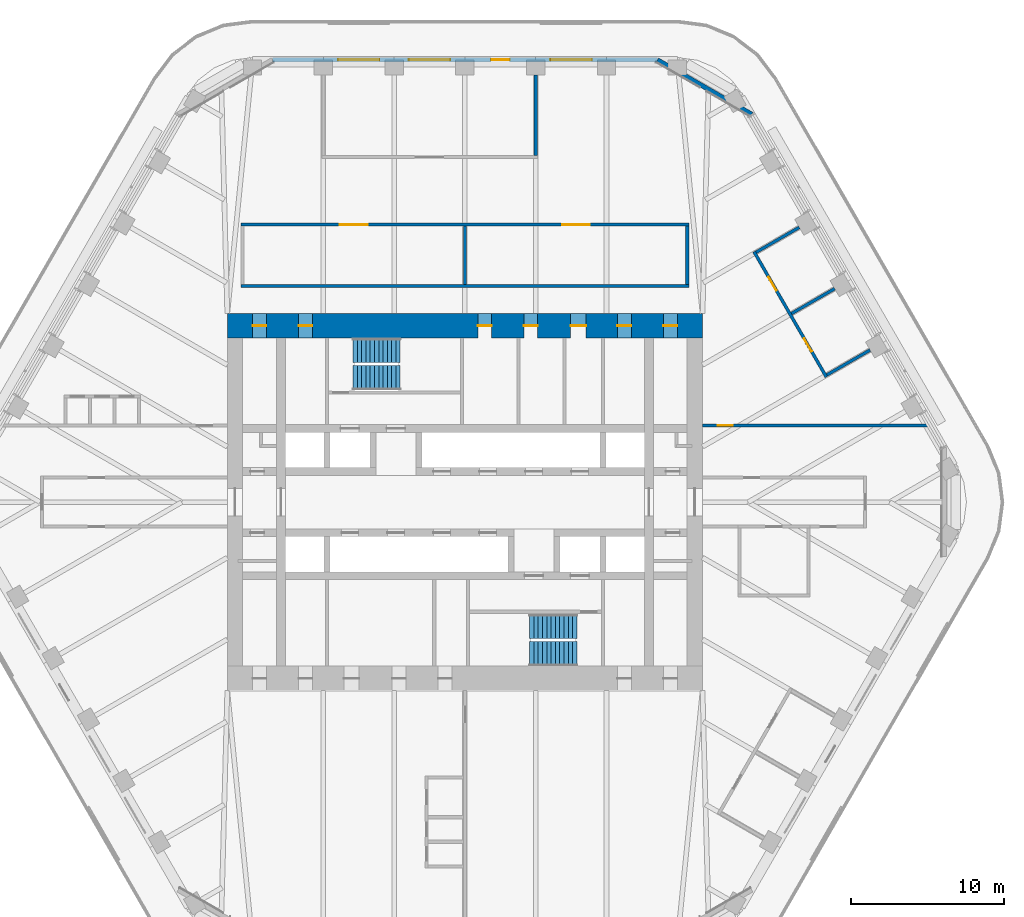
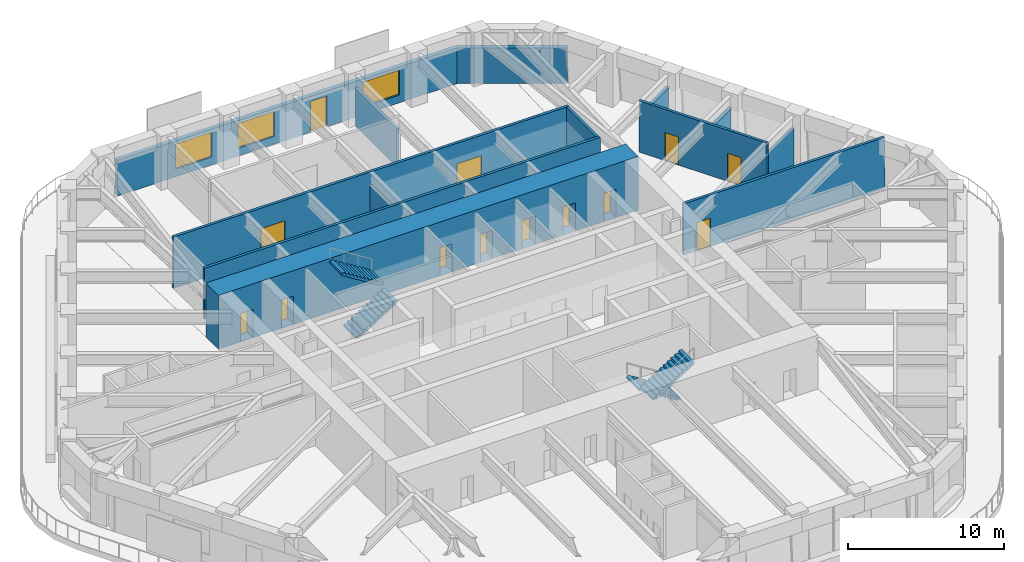
# One storey, part 17 of 20: 13 doors, 13 walls, 4 stair flights, 3 windows, 16 openings, 2 elements without a shape of their own.
"""IFC4 building model written with IfcOpenShell, lengths in metres."""

import ifcopenshell
import ifcopenshell.guid

model = None  # the IFC model being written
_history = None  # IfcOwnerHistory: only IFC2X3 demands one
_inside = {}  # id of a spatial element -> (the spatial element, [elements in it])
_under = {}  # id of a project, library or spatial element -> (it, [spatial elements below it])
_declared = {}  # id of a project -> (the project, [libraries it declares])
_typed = {}  # id of a type object -> (the type object, [elements of that type])
_made_of = {}  # id of a material, layer set ... -> (it, [elements and type objects made of it])


def new_model(schema):
    """Start an empty IFC model of exactly this schema.

    Asked for "IFC4X3", IfcOpenShell would pick the latest addendum, in which some entities
    have other attributes; the version numbers below select the first issue.
    IFC2X3 requires an IfcOwnerHistory on every rooted entity: one is made here for all.
    """
    global model, _history
    if schema == "IFC4X3":
        model = ifcopenshell.file(schema_version=(4, 3, 0, 0))
    else:
        model = ifcopenshell.file(schema=schema)
    _inside.clear()
    _under.clear()
    _declared.clear()
    _typed.clear()
    _made_of.clear()
    _history = None
    if model.schema == "IFC2X3":
        org = make("IfcOrganization", Name="unknown")
        user = make(
            "IfcPersonAndOrganization",
            ThePerson=make("IfcPerson", FamilyName="unknown"),
            TheOrganization=org,
        )
        app = make(
            "IfcApplication",
            ApplicationDeveloper=org,
            Version="unknown",
            ApplicationFullName="unknown",
            ApplicationIdentifier="unknown",
        )
        _history = make(
            "IfcOwnerHistory",
            OwningUser=user,
            OwningApplication=app,
            ChangeAction="ADDED",
            CreationDate=0,
        )
    return model


def make(cls, **values):
    """One entity of the class cls with the attributes given. An attribute that is None is left unset."""
    return model.create_entity(
        cls, **{name: value for name, value in values.items() if value is not None}
    )


def rooted(cls, **values):
    """An entity with a GlobalId (a new one), such as an element, a storey or a relation."""
    return make(cls, GlobalId=ifcopenshell.guid.new(), OwnerHistory=_history, **values)


def si_unit(unit_type, name, prefix=None):
    """IfcSIUnit, for example si_unit("LENGTHUNIT", "METRE", prefix="MILLI")."""
    return make("IfcSIUnit", UnitType=unit_type, Prefix=prefix, Name=name)


def assignment(units):
    """IfcUnitAssignment: the units of a project."""
    return None if units is None else make("IfcUnitAssignment", Units=units)


def point(xyz):
    """IfcCartesianPoint."""
    return None if xyz is None else make("IfcCartesianPoint", Coordinates=xyz)


def direction(xyz):
    """IfcDirection."""
    return None if xyz is None else make("IfcDirection", DirectionRatios=xyz)


def frame(location, z_axis=None, x_axis=None):
    """IfcAxis2Placement3D, a coordinate frame: its origin and axes. An axis left out is left unset."""
    return make(
        "IfcAxis2Placement3D",
        Location=point(location),
        Axis=direction(z_axis),
        RefDirection=direction(x_axis),
    )


def frame_2d(location, x_axis=None):
    """IfcAxis2Placement2D, a coordinate frame in the plane: its origin and x axis."""
    return make(
        "IfcAxis2Placement2D", Location=point(location), RefDirection=direction(x_axis)
    )


def origin():
    """The frame at (0, 0, 0) with its axes left unset."""
    return frame((0.0, 0.0, 0.0))


def place(relative_to, where):
    """IfcLocalPlacement: puts the frame where relative to a parent placement (None: the world)."""
    return make(
        "IfcLocalPlacement", PlacementRelTo=relative_to, RelativePlacement=where
    )


def context(
    kind, dimensions, precision=None, world=None, true_north=None, identifier=None
):
    """IfcGeometricRepresentationContext, for example the 3D "Model" context."""
    return make(
        "IfcGeometricRepresentationContext",
        ContextIdentifier=identifier,
        ContextType=kind,
        CoordinateSpaceDimension=dimensions,
        Precision=precision,
        WorldCoordinateSystem=world,
        TrueNorth=true_north,
    )


def subcontext(parent, identifier, kind, view, scale=None):
    """IfcGeometricRepresentationSubContext, for example "Body" below "Model"."""
    return make(
        "IfcGeometricRepresentationSubContext",
        ContextIdentifier=identifier,
        ContextType=kind,
        ParentContext=parent,
        TargetScale=scale,
        TargetView=view,
    )


def project(units=None, contexts=None):
    """IfcProject with its units and contexts."""
    return rooted(
        "IfcProject",
        Name="project",
        RepresentationContexts=contexts,
        UnitsInContext=assignment(units),
    )


def spatial(cls, under=None, at=None, **own):
    """A site, building, storey or space (cls), placed at a placement, below another one or the project."""
    s = rooted(cls, ObjectPlacement=at, **own)
    if under is not None:
        _under.setdefault(under.id(), (under, []))[1].append(s)
    return s


def polyline(points):
    """IfcPolyline through the points."""
    return make("IfcPolyline", Points=[point(p) for p in points])


def profile(cls, at=None, kind="AREA", **sizes):
    """A parametric profile (cls). Its sizes go by their IFC names, for example OverallWidth=200.0."""
    return make(cls, ProfileType=kind, Position=at, **sizes)


def rectangle(**sizes):
    """IfcRectangleProfileDef."""
    return profile("IfcRectangleProfileDef", **sizes)


def outline(outer, holes=None, kind="AREA"):
    """IfcArbitraryClosedProfileDef: a profile drawn as a closed curve; with holes, ...WithVoids."""
    if holes is None:
        return make("IfcArbitraryClosedProfileDef", ProfileType=kind, OuterCurve=outer)
    return make(
        "IfcArbitraryProfileDefWithVoids",
        ProfileType=kind,
        OuterCurve=outer,
        InnerCurves=holes,
    )


def extrude(swept, where, along, depth):
    """IfcExtrudedAreaSolid: the profile swept, set in the frame where, extruded along a direction by depth."""
    return make(
        "IfcExtrudedAreaSolid",
        SweptArea=swept,
        Position=where,
        ExtrudedDirection=direction(along),
        Depth=depth,
    )


def shape(context_of_items, identifier, shape_type, items):
    """IfcShapeRepresentation: the items that make up one representation, for example the "Body"."""
    return make(
        "IfcShapeRepresentation",
        ContextOfItems=context_of_items,
        RepresentationIdentifier=identifier,
        RepresentationType=shape_type,
        Items=items,
    )


def material(Name=None, Category=None):
    """IfcMaterial."""
    return make("IfcMaterial", Name=Name, Category=Category)


def layer(
    of_material, thickness, ventilated=None, Name=None, Category=None, Priority=None
):
    """IfcMaterialLayer: one layer of a wall or slab, of a material (None: an air gap)."""
    return make(
        "IfcMaterialLayer",
        Material=of_material,
        LayerThickness=thickness,
        IsVentilated=ventilated,
        Name=Name,
        Category=Category,
        Priority=Priority,
    )


def layer_set(layers, Name=None):
    """IfcMaterialLayerSet."""
    return make("IfcMaterialLayerSet", MaterialLayers=layers, LayerSetName=Name)


def made_of(thing, what):
    """Note that an element or type object is made of a material, layer set ...; save() writes the relation."""
    if what is not None:
        _made_of.setdefault(what.id(), (what, []))[1].append(thing)
    return thing


def type_object(cls, material=None, **own):
    """A type object (cls), such as IfcWallType, which elements share."""
    return made_of(rooted(cls, **own), material)


def element(
    cls,
    number,
    at=None,
    inside=None,
    cuts=None,
    type_object=None,
    material=None,
    context=None,
    identifier="Body",
    shape_type=None,
    held_by="IfcProductDefinitionShape",
    body=None,
    shapes=None,
    **own,
):
    """One element of the class cls, such as IfcWall. Its Tag is "e" and its number.

    at: its placement. inside: the storey or other place that contains it. cuts: it is an
    opening in that element (IfcRelVoidsElement). A single representation is given by context,
    identifier, shape_type and body (its items); several are given by shapes. held_by: the class
    of the entity that holds the representations. save() writes the other relations.
    """
    e = rooted(cls, Tag="e%d" % number, ObjectPlacement=at, **own)
    if body is not None:
        shapes = [shape(context, identifier, shape_type, body)]
    if shapes is not None:
        e.Representation = make(held_by, Representations=shapes)
    if inside is not None:
        _inside.setdefault(inside.id(), (inside, []))[1].append(e)
    if cuts is not None:
        rooted(
            "IfcRelVoidsElement", RelatingBuildingElement=cuts, RelatedOpeningElement=e
        )
    if type_object is not None:
        _typed.setdefault(type_object.id(), (type_object, []))[1].append(e)
    return made_of(e, material)


def fill(opening, filler):
    """IfcRelFillsElement: the door or window that sits in an opening."""
    return rooted(
        "IfcRelFillsElement",
        RelatingOpeningElement=opening,
        RelatedBuildingElement=filler,
    )


def aggregate(whole, parts):
    """IfcRelAggregates: a whole, such as a stair, and the parts it consists of."""
    return rooted("IfcRelAggregates", RelatingObject=whole, RelatedObjects=parts)


def save(model, path):
    """Write the relations noted so far, then the file.

    IfcRelAggregates (storeys below a building ...), IfcRelContainedInSpatialStructure (elements
    in a storey), IfcRelDefinesByType, IfcRelAssociatesMaterial and IfcRelDeclares: one each for
    every whole, place, type object, material and project.
    """
    for whole, parts in _under.values():
        aggregate(whole, parts)
    for where, things in _inside.values():
        rooted(
            "IfcRelContainedInSpatialStructure",
            RelatedElements=things,
            RelatingStructure=where,
        )
    for kind, things in _typed.values():
        rooted("IfcRelDefinesByType", RelatedObjects=things, RelatingType=kind)
    for what, things in _made_of.values():
        rooted("IfcRelAssociatesMaterial", RelatedObjects=things, RelatingMaterial=what)
    for by, libraries in _declared.values():
        rooted("IfcRelDeclares", RelatingContext=by, RelatedDefinitions=libraries)
    model.write(path)


model = new_model("IFC4")

# Units and contexts
model_context = context("Model", 3, precision=1e-05, world=origin(), true_north=direction((0.0, 1.0)))
body_context = subcontext(model_context, "Body", "Model", "MODEL_VIEW")
ifc_project = project(units=[si_unit("LENGTHUNIT", "METRE"), si_unit("AREAUNIT", "SQUARE_METRE"), si_unit("VOLUMEUNIT", "CUBIC_METRE"), si_unit("PLANEANGLEUNIT", "RADIAN"), si_unit("MASSUNIT", "GRAM", prefix="KILO")], contexts=[model_context])

# Site, building, storey
site_placement = place(None, origin())
site = spatial("IfcSite", under=ifc_project, at=site_placement, CompositionType="ELEMENT")
building_placement = place(site_placement, origin())
building = spatial("IfcBuilding", under=site, at=building_placement, Name="Tarfa Lantern Tower", CompositionType="ELEMENT")
storey_placement = place(building_placement, frame((0.0, 0.0, 274.300048828125)))
storey = spatial("IfcBuildingStorey", under=building, at=storey_placement, Name="L62", CompositionType="ELEMENT", Elevation=274.300048828125)

# Wall
ifc_material_1 = material(Name="Limestone cladding on blockwork", Category="masonry")
ifc_layer_1 = layer(ifc_material_1, 0.300048828125)
ifc_layer_set_1 = layer_set([ifc_layer_1], Name="EW1 STONE-CLAD WALL 300")
wall_type_1 = type_object("IfcWallType", Name="EW1 STONE-CLAD WALL 300", PredefinedType="SOLIDWALL", material=ifc_layer_set_1)
wall_1_placement = place(storey_placement, frame((18.70654296875, 25.299072265625, 0.0), z_axis=(0.0, 0.0, 1.0), x_axis=(-0.866010973379, 0.500024993363, 0.0)))
element("IfcWall", 1, at=wall_1_placement, inside=storey, type_object=wall_type_1, Name="Garden wall NE-N", PredefinedType="SOLIDWALL", context=body_context, shape_type="SweptSolid", body=[
    extrude(rectangle(XDim=7.101806640625, YDim=0.300048828125, at=frame_2d((3.55078125, 0.0))), origin(), (0.0, 0.0, 1.0), 2.800048828125),
])

# Wall, openings, door, windows
wall_2_placement = place(storey_placement, frame((12.556396484375, 28.85009765625, 0.0), z_axis=(0.0, 0.0, 1.0), x_axis=(-1.0, 0.0, 0.0)))
wall_2 = element("IfcWall", 2, at=wall_2_placement, inside=storey, type_object=wall_type_1, Name="Stone wall N", PredefinedType="SOLIDWALL", context=body_context, shape_type="SweptSolid", body=[
    extrude(rectangle(XDim=25.11279296875, YDim=0.300048828125, at=frame_2d((12.556396484375, 0.0))), origin(), (0.0, 0.0, 1.0), 2.800048828125),
])
opening_1_placement = place(wall_2_placement, frame((4.2783203125, 0.0, 0.60009765625)))
opening_1 = element("IfcOpeningElement", 3, at=opening_1_placement, cuts=wall_2, Name="Opening W14", PredefinedType="OPENING", context=body_context, shape_type="SweptSolid", body=[
    extrude(rectangle(XDim=2.699951171875, YDim=1.949951171875, at=frame_2d((1.35009765625, 0.97509765625))), frame((0.0, 0.159912109375, 0.0), z_axis=(0.0, -1.0, 0.0), x_axis=(1.0, 0.0, 0.0)), (0.0, 0.0, 1.0), 0.320068359375),
])
opening_2_placement = place(wall_2_placement, frame((9.64697265625, 0.0, 0.0)))
opening_2 = element("IfcOpeningElement", 4, at=opening_2_placement, cuts=wall_2, Name="Opening D50", PredefinedType="OPENING", context=body_context, shape_type="SweptSolid", body=[
    extrude(rectangle(XDim=1.199951171875, YDim=2.39990234375, at=frame_2d((0.60009765625, 1.199951171875))), frame((0.0, 0.159912109375, 0.0), z_axis=(0.0, -1.0, 0.0), x_axis=(1.0, 0.0, 0.0)), (0.0, 0.0, 1.0), 0.320068359375),
])
opening_3_placement = place(wall_2_placement, frame((13.515869140625, 0.0, 0.60009765625)))
opening_3 = element("IfcOpeningElement", 5, at=opening_3_placement, cuts=wall_2, Name="Opening W14", PredefinedType="OPENING", context=body_context, shape_type="SweptSolid", body=[
    extrude(rectangle(XDim=2.699951171875, YDim=1.949951171875, at=frame_2d((1.35009765625, 0.97509765625))), frame((0.0, 0.159912109375, 0.0), z_axis=(0.0, -1.0, 0.0), x_axis=(1.0, 0.0, 0.0)), (0.0, 0.0, 1.0), 0.320068359375),
])
opening_4_placement = place(wall_2_placement, frame((18.134521484375, 0.0, 0.60009765625)))
opening_4 = element("IfcOpeningElement", 6, at=opening_4_placement, cuts=wall_2, Name="Opening W14", PredefinedType="OPENING", context=body_context, shape_type="SweptSolid", body=[
    extrude(rectangle(XDim=2.699951171875, YDim=1.949951171875, at=frame_2d((1.35009765625, 0.97509765625))), frame((0.0, 0.159912109375, 0.0), z_axis=(0.0, -1.0, 0.0), x_axis=(1.0, 0.0, 0.0)), (0.0, 0.0, 1.0), 0.320068359375),
])
ifc_material_2 = material(Name="Aluminium framed glazed door", Category="aluminium")
door_type_1 = type_object("IfcDoorType", Name="BE3 BALCONY DOOR 1200x2400", OperationType="SINGLE_SWING_RIGHT", PredefinedType="DOOR", material=ifc_material_2)
door_1_placement = place(opening_2_placement, origin())
door_1 = element("IfcDoor", 7, at=door_1_placement, inside=storey, type_object=door_type_1, Name="Balcony door N", OperationType="SINGLE_SWING_RIGHT", OverallHeight=2.39990234375, OverallWidth=1.199951171875, PredefinedType="DOOR", context=body_context, shape_type="SweptSolid", body=[
    extrude(rectangle(XDim=1.199951171875, YDim=2.39990234375, at=frame_2d((0.60009765625, 1.199951171875))), frame((0.0, 0.02490234375, 0.0), z_axis=(0.0, -1.0, 0.0), x_axis=(1.0, 0.0, 0.0)), (0.0, 0.0, 1.0), 0.050048828125),
])
fill(opening_2, door_1)
ifc_material_3 = material(Name="Aluminium frame, double glazed", Category="aluminium")
window_type = type_object("IfcWindowType", Name="W14 FULL-HEIGHT GLAZING 2700x1950", PartitioningType="SINGLE_PANEL", PredefinedType="WINDOW", material=ifc_material_3)
window_1_placement = place(opening_1_placement, origin())
window_1 = element("IfcWindow", 8, at=window_1_placement, inside=storey, type_object=window_type, Name="Window N 2", OverallHeight=1.949951171875, OverallWidth=2.699951171875, PartitioningType="SINGLE_PANEL", PredefinedType="WINDOW", context=body_context, shape_type="SweptSolid", body=[
    extrude(rectangle(XDim=2.699951171875, YDim=1.949951171875, at=frame_2d((1.35009765625, 0.97509765625))), frame((0.0, 0.030029296875, 0.0), z_axis=(0.0, -1.0, 0.0), x_axis=(1.0, 0.0, 0.0)), (0.0, 0.0, 1.0), 0.06005859375),
])
fill(opening_1, window_1)
window_2_placement = place(opening_3_placement, origin())
window_2 = element("IfcWindow", 9, at=window_2_placement, inside=storey, type_object=window_type, Name="Window N 4", OverallHeight=1.949951171875, OverallWidth=2.699951171875, PartitioningType="SINGLE_PANEL", PredefinedType="WINDOW", context=body_context, shape_type="SweptSolid", body=[
    extrude(rectangle(XDim=2.699951171875, YDim=1.949951171875, at=frame_2d((1.35009765625, 0.97509765625))), frame((0.0, 0.030029296875, 0.0), z_axis=(0.0, -1.0, 0.0), x_axis=(1.0, 0.0, 0.0)), (0.0, 0.0, 1.0), 0.06005859375),
])
fill(opening_3, window_2)
window_3_placement = place(opening_4_placement, origin())
window_3 = element("IfcWindow", 10, at=window_3_placement, inside=storey, type_object=window_type, Name="Window N 5", OverallHeight=1.949951171875, OverallWidth=2.699951171875, PartitioningType="SINGLE_PANEL", PredefinedType="WINDOW", context=body_context, shape_type="SweptSolid", body=[
    extrude(rectangle(XDim=2.699951171875, YDim=1.949951171875, at=frame_2d((1.35009765625, 0.97509765625))), frame((0.0, 0.030029296875, 0.0), z_axis=(0.0, -1.0, 0.0), x_axis=(1.0, 0.0, 0.0)), (0.0, 0.0, 1.0), 0.06005859375),
])
fill(opening_4, window_3)

# Wall
ifc_material_4 = material(Name="Gypsum board on steel studs", Category="steel")
ifc_layer_2 = layer(ifc_material_4, 0.2099609375)
ifc_layer_set_2 = layer_set([ifc_layer_2], Name="IW2 ACOUSTIC PARTITION 200")
wall_type_2 = type_object("IfcWallType", Name="IW2 ACOUSTIC PARTITION 200", PredefinedType="PARTITIONING", material=ifc_layer_set_2)
wall_3_placement = place(storey_placement, frame((-14.60009765625, 14.10009765625, 0.0), z_axis=(0.0, 0.0, 1.0), x_axis=(1.0, 0.0, 0.0)))
element("IfcWall", 11, at=wall_3_placement, inside=storey, type_object=wall_type_2, Name="Partition", PredefinedType="PARTITIONING", context=body_context, shape_type="SweptSolid", body=[
    extrude(rectangle(XDim=29.2001953125, YDim=0.199951171875, at=frame_2d((14.60009765625, 0.0))), origin(), (0.0, 0.0, 1.0), 4.0),
])

# Wall, openings, doors
wall_4_placement = place(storey_placement, frame((-14.60009765625, 18.10009765625, 0.0), z_axis=(0.0, 0.0, 1.0), x_axis=(1.0, 0.0, 0.0)))
wall_4 = element("IfcWall", 12, at=wall_4_placement, inside=storey, type_object=wall_type_2, Name="Partition", PredefinedType="PARTITIONING", context=body_context, shape_type="SweptSolid", body=[
    extrude(rectangle(XDim=29.2001953125, YDim=0.199951171875, at=frame_2d((14.60009765625, 0.0))), origin(), (0.0, 0.0, 1.0), 4.0),
])
opening_5_placement = place(wall_4_placement, frame((6.449951171875, 0.0, 0.0)))
opening_5 = element("IfcOpeningElement", 13, at=opening_5_placement, cuts=wall_4, Name="Opening D33", PredefinedType="OPENING", context=body_context, shape_type="SweptSolid", body=[
    extrude(rectangle(XDim=1.800048828125, YDim=2.39990234375, at=frame_2d((0.89990234375, 1.199951171875))), frame((0.0, 0.10986328125, 0.0), z_axis=(0.0, -1.0, 0.0), x_axis=(1.0, 0.0, 0.0)), (0.0, 0.0, 1.0), 0.219970703125),
])
opening_6_placement = place(wall_4_placement, frame((20.949951171875, 0.0, 0.0)))
opening_6 = element("IfcOpeningElement", 14, at=opening_6_placement, cuts=wall_4, Name="Opening D34", PredefinedType="OPENING", context=body_context, shape_type="SweptSolid", body=[
    extrude(rectangle(XDim=1.800048828125, YDim=2.39990234375, at=frame_2d((0.89990234375, 1.199951171875))), frame((0.0, 0.10986328125, 0.0), z_axis=(0.0, -1.0, 0.0), x_axis=(1.0, 0.0, 0.0)), (0.0, 0.0, 1.0), 0.219970703125),
])
ifc_material_5 = material(Name="Timber door", Category="wood")
door_type_2 = type_object("IfcDoorType", Name="DR2 ROOM DOOR 1800x2400", OperationType="DOUBLE_DOOR_SINGLE_SWING", PredefinedType="DOOR", material=ifc_material_5)
door_2_placement = place(opening_5_placement, frame((1.800048828125, 0.0, 0.0), z_axis=(0.0, 0.0, 1.0), x_axis=(-1.0, 0.0, 0.0)))
door_2 = element("IfcDoor", 15, at=door_2_placement, inside=storey, type_object=door_type_2, Name="Data room door", OperationType="DOUBLE_DOOR_SINGLE_SWING", OverallHeight=2.39990234375, OverallWidth=1.800048828125, PredefinedType="DOOR", context=body_context, shape_type="SweptSolid", body=[
    extrude(rectangle(XDim=1.800048828125, YDim=2.39990234375, at=frame_2d((0.89990234375, 1.199951171875))), frame((0.0, 0.02490234375, 0.0), z_axis=(0.0, -1.0, 0.0), x_axis=(1.0, 0.0, 0.0)), (0.0, 0.0, 1.0), 0.050048828125),
])
fill(opening_5, door_2)
door_3_placement = place(opening_6_placement, frame((1.800048828125, 0.0, 0.0), z_axis=(0.0, 0.0, 1.0), x_axis=(-1.0, 0.0, 0.0)))
door_3 = element("IfcDoor", 16, at=door_3_placement, inside=storey, type_object=door_type_2, Name="Meeting room door", OperationType="DOUBLE_DOOR_SINGLE_SWING", OverallHeight=2.39990234375, OverallWidth=1.800048828125, PredefinedType="DOOR", context=body_context, shape_type="SweptSolid", body=[
    extrude(rectangle(XDim=1.800048828125, YDim=2.39990234375, at=frame_2d((0.89990234375, 1.199951171875))), frame((0.0, 0.02490234375, 0.0), z_axis=(0.0, -1.0, 0.0), x_axis=(1.0, 0.0, 0.0)), (0.0, 0.0, 1.0), 0.050048828125),
])
fill(opening_6, door_3)

# Walls
wall_5_placement = place(storey_placement, frame((0.0, 14.199951171875, 0.0), z_axis=(0.0, 0.0, 1.0), x_axis=(0.0, 1.0, 0.0)))
element("IfcWall", 17, at=wall_5_placement, inside=storey, type_object=wall_type_2, Name="Partition", PredefinedType="PARTITIONING", context=body_context, shape_type="SweptSolid", body=[
    extrude(rectangle(XDim=3.800048828125, YDim=0.199951171875, at=frame_2d((1.89990234375, 0.0))), origin(), (0.0, 0.0, 1.0), 2.991943359375),
])
wall_6_placement = place(storey_placement, frame((14.5, 14.199951171875, 0.0), z_axis=(0.0, 0.0, 1.0), x_axis=(0.0, 1.0, 0.0)))
element("IfcWall", 18, at=wall_6_placement, inside=storey, type_object=wall_type_2, Name="Partition", PredefinedType="PARTITIONING", context=body_context, shape_type="SweptSolid", body=[
    extrude(rectangle(XDim=3.800048828125, YDim=0.199951171875, at=frame_2d((1.89990234375, 0.0))), origin(), (0.0, 0.0, 1.0), 4.0),
])
wall_7_placement = place(storey_placement, frame((4.618896484375, 22.60009765625, 0.0), z_axis=(0.0, 0.0, 1.0), x_axis=(0.0, 1.0, 0.0)))
element("IfcWall", 19, at=wall_7_placement, inside=storey, type_object=wall_type_2, Name="Partition", PredefinedType="PARTITIONING", context=body_context, shape_type="SweptSolid", body=[
    extrude(rectangle(XDim=5.25, YDim=0.199951171875, at=frame_2d((2.625, 0.0))), origin(), (0.0, 0.0, 1.0), 2.991943359375),
])

# Wall, openings, doors
wall_8_placement = place(storey_placement, frame((23.576904296875, 8.163330078125, 0.0), z_axis=(0.0, 0.0, 1.0), x_axis=(-0.499989672313, 0.866031366395, 0.0)))
wall_8 = element("IfcWall", 20, at=wall_8_placement, inside=storey, type_object=wall_type_2, Name="Partition", PredefinedType="PARTITIONING", context=body_context, shape_type="SweptSolid", body=[
    extrude(rectangle(XDim=9.437744140625, YDim=0.199951171875, at=frame_2d((4.71875, 0.0))), origin(), (0.0, 0.0, 1.0), 4.0),
])
opening_7_placement = place(wall_8_placement, frame((1.909423828125, 0.0, 0.0)))
opening_7 = element("IfcOpeningElement", 21, at=opening_7_placement, cuts=wall_8, Name="Opening D29", PredefinedType="OPENING", context=body_context, shape_type="SweptSolid", body=[
    extrude(rectangle(XDim=1.0, YDim=2.199951171875, at=frame_2d((0.5, 1.10009765625))), frame((0.0, 0.10986328125, 0.0), z_axis=(0.0, -1.0, 0.0), x_axis=(1.0, 0.0, 0.0)), (0.0, 0.0, 1.0), 0.219970703125),
])
opening_8_placement = place(wall_8_placement, frame((6.5283203125, 0.0, 0.0)))
opening_8 = element("IfcOpeningElement", 22, at=opening_8_placement, cuts=wall_8, Name="Opening D30", PredefinedType="OPENING", context=body_context, shape_type="SweptSolid", body=[
    extrude(rectangle(XDim=1.0, YDim=2.199951171875, at=frame_2d((0.5, 1.10009765625))), frame((0.0, 0.10986328125, 0.0), z_axis=(0.0, -1.0, 0.0), x_axis=(1.0, 0.0, 0.0)), (0.0, 0.0, 1.0), 0.219970703125),
])
door_type_3 = type_object("IfcDoorType", Name="DR1 ROOM DOOR 1000x2200", OperationType="SINGLE_SWING_LEFT", PredefinedType="DOOR", material=ifc_material_5)
door_4_placement = place(opening_7_placement, frame((1.0, 0.0, 0.0), z_axis=(0.0, 0.0, 1.0), x_axis=(-1.0, 0.0, 0.0)))
door_4 = element("IfcDoor", 23, at=door_4_placement, inside=storey, type_object=door_type_3, Name="Interview room door", OperationType="SINGLE_SWING_LEFT", OverallHeight=2.199951171875, OverallWidth=1.0, PredefinedType="DOOR", context=body_context, shape_type="SweptSolid", body=[
    extrude(rectangle(XDim=1.0, YDim=2.199951171875, at=frame_2d((0.5, 1.10009765625))), frame((0.0, 0.02490234375, 0.0), z_axis=(0.0, -1.0, 0.0), x_axis=(1.0, 0.0, 0.0)), (0.0, 0.0, 1.0), 0.050048828125),
])
fill(opening_7, door_4)
door_5_placement = place(opening_8_placement, frame((1.0, 0.0, 0.0), z_axis=(0.0, 0.0, 1.0), x_axis=(-1.0, 0.0, 0.0)))
door_5 = element("IfcDoor", 24, at=door_5_placement, inside=storey, type_object=door_type_3, Name="Interview room door", OperationType="SINGLE_SWING_RIGHT", OverallHeight=2.199951171875, OverallWidth=1.0, PredefinedType="DOOR", context=body_context, shape_type="SweptSolid", body=[
    extrude(rectangle(XDim=1.0, YDim=2.199951171875, at=frame_2d((0.5, 1.10009765625))), frame((0.0, 0.02490234375, 0.0), z_axis=(0.0, -1.0, 0.0), x_axis=(1.0, 0.0, 0.0)), (0.0, 0.0, 1.0), 0.050048828125),
])
fill(opening_8, door_5)

# Walls
for number, where, z_axis, x_axis, name in (
    (25, (23.613525390625, 8.300048828125, 0.0), (0.0, 0.0, 1.0), (0.866034226713, 0.499984717929, 0.0), "Partition"),
    (26, (21.30419921875, 12.300048828125, 0.0), (0.0, 0.0, 1.0), (0.866034226713, 0.499984717929, 0.0), "Partition"),
    (27, (18.994873046875, 16.300048828125, 0.0), (0.0, 0.0, 1.0), (0.866015446554, 0.500017246033, 0.0), "Partition"),
):
    element("IfcWall", number, at=place(storey_placement, frame(where, z_axis=z_axis, x_axis=x_axis)), inside=storey, type_object=wall_type_2, Name=name, PredefinedType="PARTITIONING", context=body_context, shape_type="SweptSolid", body=[
        extrude(rectangle(XDim=3.25, YDim=0.199951171875, at=frame_2d((1.625, 0.0))), origin(), (0.0, 0.0, 1.0), 3.08154296875),
    ])

# Wall, opening, door
wall_9_placement = place(storey_placement, frame((15.5, 5.0, 0.0), z_axis=(0.0, 0.0, 1.0), x_axis=(1.0, 0.0, 0.0)))
wall_9 = element("IfcWall", 28, at=wall_9_placement, inside=storey, type_object=wall_type_2, Name="Partition", PredefinedType="PARTITIONING", context=body_context, shape_type="SweptSolid", body=[
    extrude(rectangle(XDim=14.845458984375, YDim=0.199951171875, at=frame_2d((7.4228515625, 0.0))), origin(), (0.0, 0.0, 1.0), 4.0),
])
opening_9_placement = place(wall_9_placement, frame((0.984619140625, 0.0, 0.0)))
opening_9 = element("IfcOpeningElement", 29, at=opening_9_placement, cuts=wall_9, Name="Opening D47", PredefinedType="OPENING", context=body_context, shape_type="SweptSolid", body=[
    extrude(rectangle(XDim=1.0, YDim=2.199951171875, at=frame_2d((0.5, 1.10009765625))), frame((0.0, 0.10986328125, 0.0), z_axis=(0.0, -1.0, 0.0), x_axis=(1.0, 0.0, 0.0)), (0.0, 0.0, 1.0), 0.219970703125),
])
door_6_placement = place(opening_9_placement, frame((1.0, 0.0, 0.0), z_axis=(0.0, 0.0, 1.0), x_axis=(-1.0, 0.0, 0.0)))
door_6 = element("IfcDoor", 30, at=door_6_placement, inside=storey, type_object=door_type_3, Name="Zone door", OperationType="SINGLE_SWING_LEFT", OverallHeight=2.199951171875, OverallWidth=1.0, PredefinedType="DOOR", context=body_context, shape_type="SweptSolid", body=[
    extrude(rectangle(XDim=1.0, YDim=2.199951171875, at=frame_2d((0.5, 1.10009765625))), frame((0.0, 0.02490234375, 0.0), z_axis=(0.0, -1.0, 0.0), x_axis=(1.0, 0.0, 0.0)), (0.0, 0.0, 1.0), 0.050048828125),
])
fill(opening_9, door_6)

# Wall, openings, doors
ifc_material_6 = material(Name="Concrete C80/95", Category="concrete")
ifc_layer_3 = layer(ifc_material_6, 1.60009765625)
ifc_layer_set_3 = layer_set([ifc_layer_3], Name="SW7 CORE WALL 1600")
wall_type_3 = type_object("IfcWallType", Name="SW7 CORE WALL 1600", PredefinedType="SHEAR", material=ifc_layer_set_3)
wall_10_placement = place(storey_placement, frame((-15.5, 11.5, 0.0), z_axis=(0.0, 0.0, 1.0), x_axis=(1.0, 0.0, 0.0)))
wall_10 = element("IfcWall", 31, at=wall_10_placement, inside=storey, type_object=wall_type_3, Name="Core wall N", PredefinedType="SHEAR", context=body_context, shape_type="SweptSolid", body=[
    extrude(rectangle(XDim=31.0, YDim=1.60009765625, at=frame_2d((15.5, 0.0))), origin(), (0.0, 0.0, 1.0), 4.199951171875),
])
opening_10_placement = place(wall_10_placement, frame((16.35009765625, 0.0, 0.0)))
opening_10 = element("IfcOpeningElement", 32, at=opening_10_placement, cuts=wall_10, Name="Opening D17", PredefinedType="OPENING", context=body_context, shape_type="SweptSolid", body=[
    extrude(rectangle(XDim=0.89990234375, YDim=2.199951171875, at=frame_2d((0.449951171875, 1.10009765625))), frame((0.0, 0.81005859375, 0.0), z_axis=(0.0, -1.0, 0.0), x_axis=(1.0, 0.0, 0.0)), (0.0, 0.0, 1.0), 1.6201171875),
])
opening_11_placement = place(wall_10_placement, frame((19.35009765625, 0.0, 0.0)))
opening_11 = element("IfcOpeningElement", 33, at=opening_11_placement, cuts=wall_10, Name="Opening D19", PredefinedType="OPENING", context=body_context, shape_type="SweptSolid", body=[
    extrude(rectangle(XDim=0.89990234375, YDim=2.199951171875, at=frame_2d((0.449951171875, 1.10009765625))), frame((0.0, 0.81005859375, 0.0), z_axis=(0.0, -1.0, 0.0), x_axis=(1.0, 0.0, 0.0)), (0.0, 0.0, 1.0), 1.6201171875),
])
opening_12_placement = place(wall_10_placement, frame((22.39990234375, 0.0, 0.0)))
opening_12 = element("IfcOpeningElement", 34, at=opening_12_placement, cuts=wall_10, Name="Opening D21", PredefinedType="OPENING", context=body_context, shape_type="SweptSolid", body=[
    extrude(rectangle(XDim=1.0, YDim=2.199951171875, at=frame_2d((0.5, 1.10009765625))), frame((0.0, 0.81005859375, 0.0), z_axis=(0.0, -1.0, 0.0), x_axis=(1.0, 0.0, 0.0)), (0.0, 0.0, 1.0), 1.6201171875),
])
opening_13_placement = place(wall_10_placement, frame((1.64990234375, 0.0, 0.0)))
opening_13 = element("IfcOpeningElement", 35, at=opening_13_placement, cuts=wall_10, Name="Opening D07", PredefinedType="OPENING", context=body_context, shape_type="SweptSolid", body=[
    extrude(rectangle(XDim=0.89990234375, YDim=2.199951171875, at=frame_2d((0.449951171875, 1.10009765625))), frame((0.0, 0.81005859375, 0.0), z_axis=(0.0, -1.0, 0.0), x_axis=(1.0, 0.0, 0.0)), (0.0, 0.0, 1.0), 1.6201171875),
])
opening_14_placement = place(wall_10_placement, frame((4.64990234375, 0.0, 0.0)))
opening_14 = element("IfcOpeningElement", 36, at=opening_14_placement, cuts=wall_10, Name="Opening D05", PredefinedType="OPENING", context=body_context, shape_type="SweptSolid", body=[
    extrude(rectangle(XDim=0.89990234375, YDim=2.199951171875, at=frame_2d((0.449951171875, 1.10009765625))), frame((0.0, 0.81005859375, 0.0), z_axis=(0.0, -1.0, 0.0), x_axis=(1.0, 0.0, 0.0)), (0.0, 0.0, 1.0), 1.6201171875),
])
opening_15_placement = place(wall_10_placement, frame((25.449951171875, 0.0, 0.0)))
opening_15 = element("IfcOpeningElement", 37, at=opening_15_placement, cuts=wall_10, Name="Opening D03", PredefinedType="OPENING", context=body_context, shape_type="SweptSolid", body=[
    extrude(rectangle(XDim=0.89990234375, YDim=2.199951171875, at=frame_2d((0.449951171875, 1.10009765625))), frame((0.0, 0.81005859375, 0.0), z_axis=(0.0, -1.0, 0.0), x_axis=(1.0, 0.0, 0.0)), (0.0, 0.0, 1.0), 1.6201171875),
])
opening_16_placement = place(wall_10_placement, frame((28.449951171875, 0.0, 0.0)))
opening_16 = element("IfcOpeningElement", 38, at=opening_16_placement, cuts=wall_10, Name="Opening D01", PredefinedType="OPENING", context=body_context, shape_type="SweptSolid", body=[
    extrude(rectangle(XDim=0.89990234375, YDim=2.199951171875, at=frame_2d((0.449951171875, 1.10009765625))), frame((0.0, 0.81005859375, 0.0), z_axis=(0.0, -1.0, 0.0), x_axis=(1.0, 0.0, 0.0)), (0.0, 0.0, 1.0), 1.6201171875),
])
ifc_material_7 = material(Name="Steel fire door", Category="steel")
door_type_4 = type_object("IfcDoorType", Name="DF3 CORE ROOM DOOR 900x2200", OperationType="SINGLE_SWING_LEFT", PredefinedType="DOOR", material=ifc_material_7)
door_7_placement = place(opening_10_placement, frame((0.89990234375, 0.0, 0.0), z_axis=(0.0, 0.0, 1.0), x_axis=(-1.0, 0.0, 0.0)))
door_7 = element("IfcDoor", 39, at=door_7_placement, inside=storey, type_object=door_type_4, Name="Core door", OperationType="SINGLE_SWING_LEFT", OverallHeight=2.199951171875, OverallWidth=0.89990234375, PredefinedType="DOOR", context=body_context, shape_type="SweptSolid", body=[
    extrude(rectangle(XDim=0.89990234375, YDim=2.199951171875, at=frame_2d((0.449951171875, 1.10009765625))), frame((0.0, 0.02490234375, 0.0), z_axis=(0.0, -1.0, 0.0), x_axis=(1.0, 0.0, 0.0)), (0.0, 0.0, 1.0), 0.050048828125),
])
fill(opening_10, door_7)
door_8_placement = place(opening_11_placement, frame((0.89990234375, 0.0, 0.0), z_axis=(0.0, 0.0, 1.0), x_axis=(-1.0, 0.0, 0.0)))
door_8 = element("IfcDoor", 40, at=door_8_placement, inside=storey, type_object=door_type_4, Name="Core door", OperationType="SINGLE_SWING_LEFT", OverallHeight=2.199951171875, OverallWidth=0.89990234375, PredefinedType="DOOR", context=body_context, shape_type="SweptSolid", body=[
    extrude(rectangle(XDim=0.89990234375, YDim=2.199951171875, at=frame_2d((0.449951171875, 1.10009765625))), frame((0.0, 0.02490234375, 0.0), z_axis=(0.0, -1.0, 0.0), x_axis=(1.0, 0.0, 0.0)), (0.0, 0.0, 1.0), 0.050048828125),
])
fill(opening_11, door_8)
door_type_5 = type_object("IfcDoorType", Name="DF4 CORE ROOM DOOR 1000x2200", OperationType="SINGLE_SWING_LEFT", PredefinedType="DOOR", material=ifc_material_7)
door_9_placement = place(opening_12_placement, frame((1.0, 0.0, 0.0), z_axis=(0.0, 0.0, 1.0), x_axis=(-1.0, 0.0, 0.0)))
door_9 = element("IfcDoor", 41, at=door_9_placement, inside=storey, type_object=door_type_5, Name="Core door", OperationType="SINGLE_SWING_LEFT", OverallHeight=2.199951171875, OverallWidth=1.0, PredefinedType="DOOR", context=body_context, shape_type="SweptSolid", body=[
    extrude(rectangle(XDim=1.0, YDim=2.199951171875, at=frame_2d((0.5, 1.10009765625))), frame((0.0, 0.02490234375, 0.0), z_axis=(0.0, -1.0, 0.0), x_axis=(1.0, 0.0, 0.0)), (0.0, 0.0, 1.0), 0.050048828125),
])
fill(opening_12, door_9)
door_type_6 = type_object("IfcDoorType", Name="DF5 RISER DOOR 900x2200", OperationType="SINGLE_SWING_LEFT", PredefinedType="DOOR", material=ifc_material_7)
door_10_placement = place(opening_13_placement, frame((0.89990234375, 0.0, 0.0), z_axis=(0.0, 0.0, 1.0), x_axis=(-1.0, 0.0, 0.0)))
door_10 = element("IfcDoor", 42, at=door_10_placement, inside=storey, type_object=door_type_6, Name="Riser door", OperationType="SINGLE_SWING_LEFT", OverallHeight=2.199951171875, OverallWidth=0.89990234375, PredefinedType="DOOR", context=body_context, shape_type="SweptSolid", body=[
    extrude(rectangle(XDim=0.89990234375, YDim=2.199951171875, at=frame_2d((0.449951171875, 1.10009765625))), frame((0.0, 0.02490234375, 0.0), z_axis=(0.0, -1.0, 0.0), x_axis=(1.0, 0.0, 0.0)), (0.0, 0.0, 1.0), 0.050048828125),
])
fill(opening_13, door_10)
door_11_placement = place(opening_14_placement, frame((0.89990234375, 0.0, 0.0), z_axis=(0.0, 0.0, 1.0), x_axis=(-1.0, 0.0, 0.0)))
door_11 = element("IfcDoor", 43, at=door_11_placement, inside=storey, type_object=door_type_6, Name="Riser door", OperationType="SINGLE_SWING_LEFT", OverallHeight=2.199951171875, OverallWidth=0.89990234375, PredefinedType="DOOR", context=body_context, shape_type="SweptSolid", body=[
    extrude(rectangle(XDim=0.89990234375, YDim=2.199951171875, at=frame_2d((0.449951171875, 1.10009765625))), frame((0.0, 0.02490234375, 0.0), z_axis=(0.0, -1.0, 0.0), x_axis=(1.0, 0.0, 0.0)), (0.0, 0.0, 1.0), 0.050048828125),
])
fill(opening_14, door_11)
door_12_placement = place(opening_15_placement, frame((0.89990234375, 0.0, 0.0), z_axis=(0.0, 0.0, 1.0), x_axis=(-1.0, 0.0, 0.0)))
door_12 = element("IfcDoor", 44, at=door_12_placement, inside=storey, type_object=door_type_6, Name="Riser door", OperationType="SINGLE_SWING_RIGHT", OverallHeight=2.199951171875, OverallWidth=0.89990234375, PredefinedType="DOOR", context=body_context, shape_type="SweptSolid", body=[
    extrude(rectangle(XDim=0.89990234375, YDim=2.199951171875, at=frame_2d((0.449951171875, 1.10009765625))), frame((0.0, 0.02490234375, 0.0), z_axis=(0.0, -1.0, 0.0), x_axis=(1.0, 0.0, 0.0)), (0.0, 0.0, 1.0), 0.050048828125),
])
fill(opening_15, door_12)
door_13_placement = place(opening_16_placement, frame((0.89990234375, 0.0, 0.0), z_axis=(0.0, 0.0, 1.0), x_axis=(-1.0, 0.0, 0.0)))
door_13 = element("IfcDoor", 45, at=door_13_placement, inside=storey, type_object=door_type_6, Name="Riser door", OperationType="SINGLE_SWING_RIGHT", OverallHeight=2.199951171875, OverallWidth=0.89990234375, PredefinedType="DOOR", context=body_context, shape_type="SweptSolid", body=[
    extrude(rectangle(XDim=0.89990234375, YDim=2.199951171875, at=frame_2d((0.449951171875, 1.10009765625))), frame((0.0, 0.02490234375, 0.0), z_axis=(0.0, -1.0, 0.0), x_axis=(1.0, 0.0, 0.0)), (0.0, 0.0, 1.0), 0.050048828125),
])
fill(opening_16, door_13)

# Stair, stair flights
ifc_material_8 = material(Name="Concrete C40/50", Category="concrete")
stair_type = type_object("IfcStairType", Name="ST-T10 HALF-TURN STAIR 4200 RISE", PredefinedType="HALF_TURN_STAIR", material=ifc_material_8)
stair_1_placement = place(storey_placement, origin())
stair_1 = element("IfcStair", 46, at=stair_1_placement, inside=storey, type_object=stair_type, Name="Stair ST1", PredefinedType="HALF_TURN_STAIR")
stair_flight_type = type_object("IfcStairFlightType", Name="SF1 STAIR FLIGHT", PredefinedType="STRAIGHT", material=ifc_material_8)
stair_flight_1_placement = place(storey_placement, frame((-7.300048828125, 8.10009765625, 0.0), z_axis=(0.0, 0.0, 1.0), x_axis=(1.0, 0.0, 0.0)))
stair_flight_1 = element("IfcStairFlight", 47, at=stair_flight_1_placement, type_object=stair_flight_type, Name="ST1 flight 1", NumberOfRisers=12, NumberOfTreads=11, PredefinedType="STRAIGHT", RiserHeight=0.175, TreadLength=0.28, context=body_context, shape_type="SweptSolid", body=[
    extrude(outline(polyline([(0.0, 0.0), (0.0, 0.175048828125), (0.280029296875, 0.175048828125), (0.280029296875, 0.35009765625), (0.56005859375, 0.35009765625), (0.56005859375, 0.52490234375), (0.840087890625, 0.52490234375), (0.840087890625, 0.699951171875), (1.1201171875, 0.699951171875), (1.1201171875, 0.875), (1.39990234375, 0.875), (1.39990234375, 1.050048828125), (1.679931640625, 1.050048828125), (1.679931640625, 1.22509765625), (1.9599609375, 1.22509765625), (1.9599609375, 1.39990234375), (2.239990234375, 1.39990234375), (2.239990234375, 1.574951171875), (2.52001953125, 1.574951171875), (2.52001953125, 1.75), (2.800048828125, 1.75), (2.800048828125, 1.925048828125), (3.080078125, 1.925048828125), (3.080078125, 2.10009765625), (3.080078125, 1.748291015625), (0.28271484375, 0.0), (0.0, 0.0)])), frame((0.0, 0.800048828125, 0.0), z_axis=(0.0, -1.0, 0.0), x_axis=(1.0, 0.0, 0.0)), (0.0, 0.0, 1.0), 1.60009765625),
])
stair_flight_2_placement = place(storey_placement, frame((-4.219970703125, 9.89990234375, 2.099853515625), z_axis=(0.0, 0.0, 1.0), x_axis=(-1.0, 0.0, 0.0)))
stair_flight_2 = element("IfcStairFlight", 48, at=stair_flight_2_placement, type_object=stair_flight_type, Name="ST1 flight 2", NumberOfRisers=12, NumberOfTreads=11, PredefinedType="STRAIGHT", RiserHeight=0.175, TreadLength=0.28, context=body_context, shape_type="SweptSolid", body=[
    extrude(outline(polyline([(0.0, 0.0), (0.0, 0.175048828125), (0.280029296875, 0.175048828125), (0.280029296875, 0.35009765625), (0.56005859375, 0.35009765625), (0.56005859375, 0.52490234375), (0.840087890625, 0.52490234375), (0.840087890625, 0.699951171875), (1.1201171875, 0.699951171875), (1.1201171875, 0.875), (1.39990234375, 0.875), (1.39990234375, 1.050048828125), (1.679931640625, 1.050048828125), (1.679931640625, 1.22509765625), (1.9599609375, 1.22509765625), (1.9599609375, 1.39990234375), (2.239990234375, 1.39990234375), (2.239990234375, 1.574951171875), (2.52001953125, 1.574951171875), (2.52001953125, 1.75), (2.800048828125, 1.75), (2.800048828125, 1.925048828125), (3.080078125, 1.925048828125), (3.080078125, 2.10009765625), (3.080078125, 1.748291015625), (0.28271484375, 0.0), (0.0, 0.0)])), frame((0.0, 0.800048828125, 0.0), z_axis=(0.0, -1.0, 0.0), x_axis=(1.0, 0.0, 0.0)), (0.0, 0.0, 1.0), 1.60009765625),
])
aggregate(stair_1, [stair_flight_1, stair_flight_2])

stair_2_placement = place(storey_placement, origin())
stair_2 = element("IfcStair", 49, at=stair_2_placement, inside=storey, type_object=stair_type, Name="Stair ST2", PredefinedType="HALF_TURN_STAIR")
stair_flight_3_placement = place(storey_placement, frame((7.300048828125, -8.10009765625, 0.0), z_axis=(0.0, 0.0, 1.0), x_axis=(-1.0, 0.0, 0.0)))
stair_flight_3 = element("IfcStairFlight", 50, at=stair_flight_3_placement, type_object=stair_flight_type, Name="ST2 flight 1", NumberOfRisers=12, NumberOfTreads=11, PredefinedType="STRAIGHT", RiserHeight=0.175, TreadLength=0.28, context=body_context, shape_type="SweptSolid", body=[
    extrude(outline(polyline([(0.0, 0.0), (0.0, 0.175048828125), (0.280029296875, 0.175048828125), (0.280029296875, 0.35009765625), (0.56005859375, 0.35009765625), (0.56005859375, 0.52490234375), (0.840087890625, 0.52490234375), (0.840087890625, 0.699951171875), (1.1201171875, 0.699951171875), (1.1201171875, 0.875), (1.39990234375, 0.875), (1.39990234375, 1.050048828125), (1.679931640625, 1.050048828125), (1.679931640625, 1.22509765625), (1.9599609375, 1.22509765625), (1.9599609375, 1.39990234375), (2.239990234375, 1.39990234375), (2.239990234375, 1.574951171875), (2.52001953125, 1.574951171875), (2.52001953125, 1.75), (2.800048828125, 1.75), (2.800048828125, 1.925048828125), (3.080078125, 1.925048828125), (3.080078125, 2.10009765625), (3.080078125, 1.748291015625), (0.28271484375, 0.0), (0.0, 0.0)])), frame((0.0, 0.800048828125, 0.0), z_axis=(0.0, -1.0, 0.0), x_axis=(1.0, 0.0, 0.0)), (0.0, 0.0, 1.0), 1.60009765625),
])
stair_flight_4_placement = place(storey_placement, frame((4.219970703125, -9.89990234375, 2.099853515625), z_axis=(0.0, 0.0, 1.0), x_axis=(1.0, 0.0, 0.0)))
stair_flight_4 = element("IfcStairFlight", 51, at=stair_flight_4_placement, type_object=stair_flight_type, Name="ST2 flight 2", NumberOfRisers=12, NumberOfTreads=11, PredefinedType="STRAIGHT", RiserHeight=0.175, TreadLength=0.28, context=body_context, shape_type="SweptSolid", body=[
    extrude(outline(polyline([(0.0, 0.0), (0.0, 0.175048828125), (0.280029296875, 0.175048828125), (0.280029296875, 0.35009765625), (0.56005859375, 0.35009765625), (0.56005859375, 0.52490234375), (0.840087890625, 0.52490234375), (0.840087890625, 0.699951171875), (1.1201171875, 0.699951171875), (1.1201171875, 0.875), (1.39990234375, 0.875), (1.39990234375, 1.050048828125), (1.679931640625, 1.050048828125), (1.679931640625, 1.22509765625), (1.9599609375, 1.22509765625), (1.9599609375, 1.39990234375), (2.239990234375, 1.39990234375), (2.239990234375, 1.574951171875), (2.52001953125, 1.574951171875), (2.52001953125, 1.75), (2.800048828125, 1.75), (2.800048828125, 1.925048828125), (3.080078125, 1.925048828125), (3.080078125, 2.10009765625), (3.080078125, 1.748291015625), (0.28271484375, 0.0), (0.0, 0.0)])), frame((0.0, 0.800048828125, 0.0), z_axis=(0.0, -1.0, 0.0), x_axis=(1.0, 0.0, 0.0)), (0.0, 0.0, 1.0), 1.60009765625),
])
aggregate(stair_2, [stair_flight_3, stair_flight_4])

save(model, "model.ifc")
